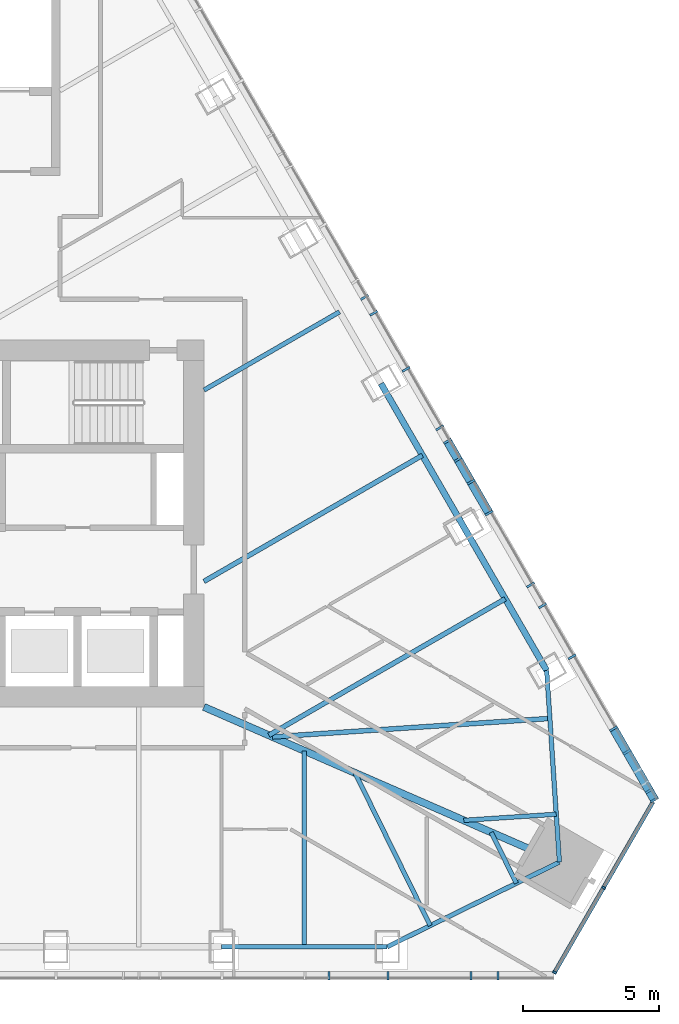
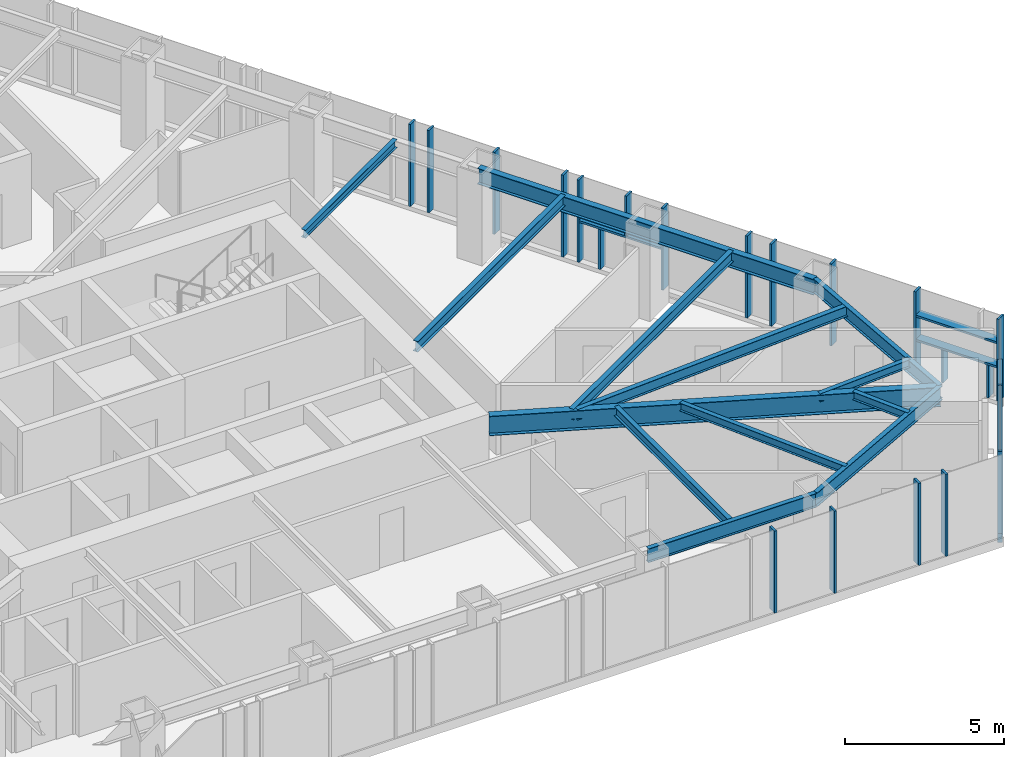
# One storey, part 5 of 18: 26 members, 13 beams, 3 elements without a shape of their own.
"""IFC4 building model written with IfcOpenShell, lengths in metres."""

from ifc_helpers import new_model, si_unit, direction, frame, origin, origin_2d, place, context, subcontext, project, spatial, rectangle, i_section, extrude, material, layer, layer_set, material_profile, profile_set, type_object, element, aggregate, save


model = new_model("IFC4")

# Units and contexts
model_context = context("Model", 3, precision=1e-05, world=origin(), true_north=direction((0.0, 1.0)))
body_context = subcontext(model_context, "Body", "Model", "MODEL_VIEW")
ifc_project = project(units=[si_unit("LENGTHUNIT", "METRE"), si_unit("AREAUNIT", "SQUARE_METRE"), si_unit("VOLUMEUNIT", "CUBIC_METRE"), si_unit("PLANEANGLEUNIT", "RADIAN"), si_unit("MASSUNIT", "GRAM", prefix="KILO")], contexts=[model_context])

# Site, building, storey
site_placement = place(None, origin())
site = spatial("IfcSite", under=ifc_project, at=site_placement, CompositionType="ELEMENT")
building_placement = place(site_placement, origin())
building = spatial("IfcBuilding", under=site, at=building_placement, Name="Firuza Gate Tower and Library", CompositionType="ELEMENT")
storey_placement = place(building_placement, frame((0.0, 0.0, 298.60009765625)))
storey = spatial("IfcBuildingStorey", under=building, at=storey_placement, Name="L72", CompositionType="ELEMENT", Elevation=298.60009765625)

# Curtain wall, members
ifc_material_1 = material(Name="Aluminium 6063-T6", Category="aluminium")
ifc_layer_1 = layer(ifc_material_1, 0.14990234375)
ifc_layer_set_1 = layer_set([ifc_layer_1], Name="Corner curtain wall, chamfers")
curtain_wall_type_1 = type_object("IfcCurtainWallType", Name="Corner curtain wall, chamfers", PredefinedType="NOTDEFINED", material=ifc_layer_set_1)
placement = place(storey_placement, origin())
curtain_wall_1 = element("IfcCurtainWall", 1, at=placement, inside=storey, type_object=curtain_wall_type_1, Name="CW4 L72 SE corner", PredefinedType="NOTDEFINED")
ifc_material_2 = material(Name="Aluminium 6063-T6", Category="aluminium")
ifc_material_profile_1 = material_profile(ifc_material_2, rectangle(XDim=0.14990234375, YDim=0.080078125, at=origin_2d()))
ifc_profile_set_1 = profile_set([ifc_material_profile_1], Name="Aluminium 6063-T6")
member_type_1 = type_object("IfcMemberType", Name="Curtain wall mullion 80x150", PredefinedType="MULLION", material=ifc_profile_set_1)
member_1_placement = place(storey_placement, frame((96.3994140625, 58.484375, 0.14990234375), z_axis=(0.0, 0.0, 1.0), x_axis=(-0.866025403784, 0.5, 0.0)))
member_1 = element("IfcMember", 2, at=member_1_placement, type_object=member_type_1, Name="Mullion", PredefinedType="MULLION", context=body_context, shape_type="SweptSolid", body=[
    extrude(rectangle(XDim=0.14990234375, YDim=0.080078125, at=origin_2d()), origin(), (0.0, 0.0, 1.0), 3.14990234375),
])
member_2_placement = place(storey_placement, frame((98.200927734375, 61.60498046875, 0.14990234375), z_axis=(0.0, 0.0, 1.0), x_axis=(-0.866025403784, 0.5, 0.0)))
member_2 = element("IfcMember", 3, at=member_2_placement, type_object=member_type_1, Name="Mullion", PredefinedType="MULLION", context=body_context, shape_type="SweptSolid", body=[
    extrude(rectangle(XDim=0.14990234375, YDim=0.080078125, at=origin_2d()), origin(), (0.0, 0.0, 1.0), 3.14990234375),
])

ifc_material_3 = material(Name="Aluminium 6063-T6", Category="aluminium")
ifc_layer_2 = layer(ifc_material_3, 0.14990234375)
ifc_layer_set_2 = layer_set([ifc_layer_2], Name="Unitised curtain wall, residences")
curtain_wall_type_2 = type_object("IfcCurtainWallType", Name="Unitised curtain wall, residences", PredefinedType="NOTDEFINED", material=ifc_layer_set_2)
curtain_wall_2 = element("IfcCurtainWall", 4, at=placement, inside=storey, type_object=curtain_wall_type_2, Name="CW3 L72 S face", PredefinedType="NOTDEFINED")
ifc_material_4 = material(Name="Aluminium 6063-T6", Category="aluminium")
ifc_material_profile_2 = material_profile(ifc_material_4, rectangle(XDim=0.320068359375, YDim=0.080078125, at=origin_2d()))
ifc_profile_set_2 = profile_set([ifc_material_profile_2], Name="Aluminium 6063-T6")
member_type_2 = type_object("IfcMemberType", Name="Curtain wall mullion 80x320", PredefinedType="MULLION", material=ifc_profile_set_2)
member_3_placement = place(storey_placement, frame((90.27099609375, 58.36474609375, 0.14990234375), z_axis=(0.0, 0.0, 1.0), x_axis=(0.0, 1.0, 0.0)))
member_3 = element("IfcMember", 5, at=member_3_placement, type_object=member_type_2, Name="Mullion", PredefinedType="MULLION", context=body_context, shape_type="SweptSolid", body=[
    extrude(rectangle(XDim=0.320068359375, YDim=0.080078125, at=origin_2d()), origin(), (0.0, 0.0, 1.0), 3.14990234375),
])
member_4_placement = place(storey_placement, frame((93.3251953125, 58.36474609375, 0.14990234375), z_axis=(0.0, 0.0, 1.0), x_axis=(0.0, 1.0, 0.0)))
member_4 = element("IfcMember", 6, at=member_4_placement, type_object=member_type_2, Name="Mullion", PredefinedType="MULLION", context=body_context, shape_type="SweptSolid", body=[
    extrude(rectangle(XDim=0.320068359375, YDim=0.080078125, at=origin_2d()), origin(), (0.0, 0.0, 1.0), 3.14990234375),
])
member_5_placement = place(storey_placement, frame((88.099365234375, 58.36474609375, 0.14990234375), z_axis=(0.0, 0.0, 1.0), x_axis=(0.0, 1.0, 0.0)))
member_5 = element("IfcMember", 7, at=member_5_placement, type_object=member_type_2, Name="Mullion", PredefinedType="MULLION", context=body_context, shape_type="SweptSolid", body=[
    extrude(rectangle(XDim=0.320068359375, YDim=0.080078125, at=origin_2d()), origin(), (0.0, 0.0, 1.0), 3.14990234375),
])
member_6_placement = place(storey_placement, frame((94.312744140625, 58.36474609375, 0.14990234375), z_axis=(0.0, 0.0, 1.0), x_axis=(0.0, 1.0, 0.0)))
member_6 = element("IfcMember", 8, at=member_6_placement, type_object=member_type_2, Name="Mullion", PredefinedType="MULLION", context=body_context, shape_type="SweptSolid", body=[
    extrude(rectangle(XDim=0.320068359375, YDim=0.080078125, at=origin_2d()), origin(), (0.0, 0.0, 1.0), 3.14990234375),
])
aggregate(curtain_wall_2, [member_3, member_4, member_5, member_6])

curtain_wall_3 = element("IfcCurtainWall", 9, at=placement, inside=storey, type_object=curtain_wall_type_2, Name="CW3 L72 E face", PredefinedType="NOTDEFINED")
member_7_placement = place(storey_placement, frame((100.076171875, 64.837158203125, 0.14990234375), z_axis=(0.0, 0.0, 1.0), x_axis=(-0.866025403784, -0.5, 0.0)))
member_7 = element("IfcMember", 10, at=member_7_placement, type_object=member_type_2, Name="Mullion", PredefinedType="MULLION", context=body_context, shape_type="SweptSolid", body=[
    extrude(rectangle(XDim=0.320068359375, YDim=0.080078125, at=origin_2d()), origin(), (0.0, 0.0, 1.0), 3.14990234375),
])
member_8_placement = place(storey_placement, frame((98.569091796875, 67.447509765625, 0.14990234375), z_axis=(0.0, 0.0, 1.0), x_axis=(-0.866025403784, -0.5, 0.0)))
member_8 = element("IfcMember", 11, at=member_8_placement, type_object=member_type_2, Name="Mullion", PredefinedType="MULLION", context=body_context, shape_type="SweptSolid", body=[
    extrude(rectangle(XDim=0.320068359375, YDim=0.080078125, at=origin_2d()), origin(), (0.0, 0.0, 1.0), 3.14990234375),
])
member_9_placement = place(storey_placement, frame((97.0419921875, 70.092529296875, 0.14990234375), z_axis=(0.0, 0.0, 1.0), x_axis=(-0.866025403784, -0.5, 0.0)))
member_9 = element("IfcMember", 12, at=member_9_placement, type_object=member_type_2, Name="Mullion", PredefinedType="MULLION", context=body_context, shape_type="SweptSolid", body=[
    extrude(rectangle(XDim=0.320068359375, YDim=0.080078125, at=origin_2d()), origin(), (0.0, 0.0, 1.0), 3.14990234375),
])
member_10_placement = place(storey_placement, frame((95.514892578125, 72.737548828125, 0.14990234375), z_axis=(0.0, 0.0, 1.0), x_axis=(-0.866025403784, -0.5, 0.0)))
member_10 = element("IfcMember", 13, at=member_10_placement, type_object=member_type_2, Name="Mullion", PredefinedType="MULLION", context=body_context, shape_type="SweptSolid", body=[
    extrude(rectangle(XDim=0.320068359375, YDim=0.080078125, at=origin_2d()), origin(), (0.0, 0.0, 1.0), 3.14990234375),
])
member_11_placement = place(storey_placement, frame((93.98779296875, 75.382568359375, 0.14990234375), z_axis=(0.0, 0.0, 1.0), x_axis=(-0.866025403784, -0.5, 0.0)))
member_11 = element("IfcMember", 14, at=member_11_placement, type_object=member_type_2, Name="Mullion", PredefinedType="MULLION", context=body_context, shape_type="SweptSolid", body=[
    extrude(rectangle(XDim=0.320068359375, YDim=0.080078125, at=origin_2d()), origin(), (0.0, 0.0, 1.0), 3.14990234375),
])
member_12_placement = place(storey_placement, frame((92.460693359375, 78.027587890625, 0.14990234375), z_axis=(0.0, 0.0, 1.0), x_axis=(-0.866025403784, -0.5, 0.0)))
member_12 = element("IfcMember", 15, at=member_12_placement, type_object=member_type_2, Name="Mullion", PredefinedType="MULLION", context=body_context, shape_type="SweptSolid", body=[
    extrude(rectangle(XDim=0.320068359375, YDim=0.080078125, at=origin_2d()), origin(), (0.0, 0.0, 1.0), 3.14990234375),
])
member_13_placement = place(storey_placement, frame((90.93359375, 80.672607421875, 0.14990234375), z_axis=(0.0, 0.0, 1.0), x_axis=(-0.866025403784, -0.5, 0.0)))
member_13 = element("IfcMember", 16, at=member_13_placement, type_object=member_type_2, Name="Mullion", PredefinedType="MULLION", context=body_context, shape_type="SweptSolid", body=[
    extrude(rectangle(XDim=0.320068359375, YDim=0.080078125, at=origin_2d()), origin(), (0.0, 0.0, 1.0), 3.14990234375),
])
member_14_placement = place(storey_placement, frame((89.406494140625, 83.317626953125, 0.14990234375), z_axis=(0.0, 0.0, 1.0), x_axis=(-0.866025403784, -0.5, 0.0)))
member_14 = element("IfcMember", 17, at=member_14_placement, type_object=member_type_2, Name="Mullion", PredefinedType="MULLION", context=body_context, shape_type="SweptSolid", body=[
    extrude(rectangle(XDim=0.320068359375, YDim=0.080078125, at=origin_2d()), origin(), (0.0, 0.0, 1.0), 3.14990234375),
])
member_15_placement = place(storey_placement, frame((99.887451171875, 65.164306640625, 0.14990234375), z_axis=(0.0, 0.0, 1.0), x_axis=(-0.866025403784, -0.5, 0.0)))
member_15 = element("IfcMember", 18, at=member_15_placement, type_object=member_type_2, Name="Mullion", PredefinedType="MULLION", context=body_context, shape_type="SweptSolid", body=[
    extrude(rectangle(XDim=0.320068359375, YDim=0.080078125, at=origin_2d()), origin(), (0.0, 0.0, 1.0), 1.260009765625),
])
member_16_placement = place(storey_placement, frame((99.06298828125, 66.59228515625, 0.14990234375), z_axis=(0.0, 0.0, 1.0), x_axis=(-0.866025403784, -0.5, 0.0)))
member_16 = element("IfcMember", 19, at=member_16_placement, type_object=member_type_2, Name="Mullion", PredefinedType="MULLION", context=body_context, shape_type="SweptSolid", body=[
    extrude(rectangle(XDim=0.320068359375, YDim=0.080078125, at=origin_2d()), origin(), (0.0, 0.0, 1.0), 1.260009765625),
])
member_17_placement = place(storey_placement, frame((95.956298828125, 71.973388671875, 0.14990234375), z_axis=(0.0, 0.0, 1.0), x_axis=(-0.866025403784, -0.5, 0.0)))
member_17 = element("IfcMember", 20, at=member_17_placement, type_object=member_type_2, Name="Mullion", PredefinedType="MULLION", context=body_context, shape_type="SweptSolid", body=[
    extrude(rectangle(XDim=0.320068359375, YDim=0.080078125, at=origin_2d()), origin(), (0.0, 0.0, 1.0), 3.14990234375),
])
member_18_placement = place(storey_placement, frame((92.849609375, 77.354248046875, 0.14990234375), z_axis=(0.0, 0.0, 1.0), x_axis=(-0.866025403784, -0.5, 0.0)))
member_18 = element("IfcMember", 21, at=member_18_placement, type_object=member_type_2, Name="Mullion", PredefinedType="MULLION", context=body_context, shape_type="SweptSolid", body=[
    extrude(rectangle(XDim=0.320068359375, YDim=0.080078125, at=origin_2d()), origin(), (0.0, 0.0, 1.0), 1.534912109375),
])
member_19_placement = place(storey_placement, frame((93.327392578125, 76.526611328125, 1.764892578125), z_axis=(0.0, 0.0, 1.0), x_axis=(-0.866025403784, -0.5, 0.0)))
member_19 = element("IfcMember", 22, at=member_19_placement, type_object=member_type_2, Name="Mullion", PredefinedType="MULLION", context=body_context, shape_type="SweptSolid", body=[
    extrude(rectangle(XDim=0.320068359375, YDim=0.080078125, at=origin_2d()), origin(), (0.0, 0.0, 1.0), 1.534912109375),
])
member_20_placement = place(storey_placement, frame((92.177001953125, 78.519287109375, 0.14990234375), z_axis=(0.0, 0.0, 1.0), x_axis=(-0.866025403784, -0.5, 0.0)))
member_20 = element("IfcMember", 23, at=member_20_placement, type_object=member_type_2, Name="Mullion", PredefinedType="MULLION", context=body_context, shape_type="SweptSolid", body=[
    extrude(rectangle(XDim=0.320068359375, YDim=0.080078125, at=origin_2d()), origin(), (0.0, 0.0, 1.0), 3.14990234375),
])
member_21_placement = place(storey_placement, frame((89.742919921875, 82.735107421875, 0.14990234375), z_axis=(0.0, 0.0, 1.0), x_axis=(-0.866025403784, -0.5, 0.0)))
member_21 = element("IfcMember", 24, at=member_21_placement, type_object=member_type_2, Name="Mullion", PredefinedType="MULLION", context=body_context, shape_type="SweptSolid", body=[
    extrude(rectangle(XDim=0.320068359375, YDim=0.080078125, at=origin_2d()), origin(), (0.0, 0.0, 1.0), 3.14990234375),
])

# Member
ifc_material_5 = material(Name="Aluminium 6063-T6", Category="aluminium")
ifc_material_profile_3 = material_profile(ifc_material_5, rectangle(XDim=0.14990234375, YDim=0.35009765625, at=origin_2d()))
ifc_profile_set_3 = profile_set([ifc_material_profile_3], Name="Aluminium 6063-T6")
member_type_3 = type_object("IfcMemberType", Name="Curtain wall transom 350x150", PredefinedType="USERDEFINED", material=ifc_profile_set_3)
member_22_placement = place(storey_placement, frame((96.37939453125, 58.44970703125, -0.025146484375), z_axis=(0.500005719219, 0.866022101766, 0.0), x_axis=(-0.866022101766, 0.500005719219, 0.0)))
member_22 = element("IfcMember", 25, at=member_22_placement, type_object=member_type_3, Name="Transom", ObjectType="TRANSOM", PredefinedType="USERDEFINED", context=body_context, shape_type="SweptSolid", body=[
    extrude(rectangle(XDim=0.14990234375, YDim=0.35009765625, at=origin_2d()), origin(), (0.0, 0.0, 1.0), 7.28662109375),
])

ifc_material_6 = material(Name="Aluminium 6063-T6", Category="aluminium")
ifc_material_profile_4 = material_profile(ifc_material_6, rectangle(XDim=0.14990234375, YDim=0.080078125, at=origin_2d()))
ifc_profile_set_4 = profile_set([ifc_material_profile_4], Name="Aluminium 6063-T6")
member_type_4 = type_object("IfcMemberType", Name="Curtain wall transom 80x150", PredefinedType="USERDEFINED", material=ifc_profile_set_4)
member_23_placement = place(storey_placement, frame((98.220947265625, 61.6396484375, 1.724853515625), z_axis=(0.500015035186, 0.866016723041, 0.0), x_axis=(-0.866016723041, 0.500015035186, 0.0)))
member_23 = element("IfcMember", 26, at=member_23_placement, type_object=member_type_4, Name="Transom", ObjectType="TRANSOM", PredefinedType="USERDEFINED", context=body_context, shape_type="SweptSolid", body=[
    extrude(rectangle(XDim=0.14990234375, YDim=0.080078125, at=origin_2d()), origin(), (0.0, 0.0, 1.0), 3.5634765625),
])

aggregate(curtain_wall_1, [member_1, member_2, member_22, member_23])

ifc_material_7 = material(Name="Aluminium 6063-T6", Category="aluminium")
ifc_material_profile_5 = material_profile(ifc_material_7, rectangle(XDim=0.320068359375, YDim=0.080078125, at=origin_2d()))
ifc_profile_set_5 = profile_set([ifc_material_profile_5], Name="Aluminium 6063-T6")
member_type_5 = type_object("IfcMemberType", Name="Curtain wall transom 80x320", PredefinedType="USERDEFINED", material=ifc_profile_set_5)
member_24_placement = place(storey_placement, frame((100.076171875, 64.837158203125, 1.449951171875), z_axis=(-0.499961665751, 0.866047534942, 0.0), x_axis=(-0.866047534942, -0.499961665751, 0.0)))
member_24 = element("IfcMember", 27, at=member_24_placement, type_object=member_type_5, Name="Transom", ObjectType="TRANSOM", PredefinedType="USERDEFINED", context=body_context, shape_type="SweptSolid", body=[
    extrude(rectangle(XDim=0.320068359375, YDim=0.080078125, at=origin_2d()), origin(), (0.0, 0.0, 1.0), 2.974365234375),
])

member_25_placement = place(storey_placement, frame((100.076171875, 64.837158203125, 2.375), z_axis=(-0.499961665751, 0.866047534942, 0.0), x_axis=(-0.866047534942, -0.499961665751, 0.0)))
member_25 = element("IfcMember", 28, at=member_25_placement, type_object=member_type_5, Name="Transom", ObjectType="TRANSOM", PredefinedType="USERDEFINED", context=body_context, shape_type="SweptSolid", body=[
    extrude(rectangle(XDim=0.320068359375, YDim=0.080078125, at=origin_2d()), origin(), (0.0, 0.0, 1.0), 2.974365234375),
])

member_26_placement = place(storey_placement, frame((93.9677734375, 75.417236328125, 1.724853515625), z_axis=(-0.499997208602, 0.866027015393, 0.0), x_axis=(-0.866027015393, -0.499997208602, 0.0)))
member_26 = element("IfcMember", 29, at=member_26_placement, type_object=member_type_5, Name="Transom", ObjectType="TRANSOM", PredefinedType="USERDEFINED", context=body_context, shape_type="SweptSolid", body=[
    extrude(rectangle(XDim=0.320068359375, YDim=0.080078125, at=origin_2d()), origin(), (0.0, 0.0, 1.0), 2.97412109375),
])

aggregate(curtain_wall_3, [member_7, member_8, member_9, member_10, member_11, member_12, member_13, member_14, member_15, member_16, member_24, member_25, member_17, member_18, member_19, member_26, member_20, member_21])

# Beams
ifc_material_8 = material(Name="Steel S355", Category="steel")
ifc_material_profile_6 = material_profile(ifc_material_8, i_section(OverallWidth=0.1650390625, OverallDepth=0.31005859375, WebThickness=0.005859375, FlangeThickness=0.009765625, at=origin_2d()))
ifc_profile_set_6 = profile_set([ifc_material_profile_6], Name="Steel S355")
beam_type_1 = type_object("IfcBeamType", Name="W310x39 Floor beam", PredefinedType="JOIST", material=ifc_profile_set_6)
beam_1_placement = place(storey_placement, frame((91.82421875, 60.2041015625, 3.14501953125), z_axis=(-0.44141897367, 0.897301114278, 0.0), x_axis=(-0.897301114278, -0.44141897367, 0.0)))
element("IfcBeam", 30, at=beam_1_placement, inside=storey, type_object=beam_type_1, Name="Floor beam L72 s30", PredefinedType="JOIST", context=body_context, shape_type="SweptSolid", body=[
    extrude(i_section(OverallWidth=0.1650390625, OverallDepth=0.31005859375, WebThickness=0.005859375, FlangeThickness=0.009765625, at=origin_2d()), origin(), (0.0, 0.0, 1.0), 6.262451171875),
])
beam_2_placement = place(storey_placement, frame((94.992919921875, 61.762939453125, 3.14501953125), z_axis=(-0.44149718948, 0.8972626325, 0.0), x_axis=(-0.8972626325, -0.44149718948, 0.0)))
element("IfcBeam", 31, at=beam_2_placement, inside=storey, type_object=beam_type_1, Name="Floor beam L72 s31", PredefinedType="JOIST", context=body_context, shape_type="SweptSolid", body=[
    extrude(i_section(OverallWidth=0.1650390625, OverallDepth=0.31005859375, WebThickness=0.005859375, FlangeThickness=0.009765625, at=origin_2d()), origin(), (0.0, 0.0, 1.0), 2.08740234375),
])
beam_3_placement = place(storey_placement, frame((96.4599609375, 64.30419921875, 3.14501953125), z_axis=(-0.997798132609, -0.066324102419, 0.0), x_axis=(0.066324102419, -0.997798132609, 0.0)))
element("IfcBeam", 32, at=beam_3_placement, inside=storey, type_object=beam_type_1, Name="Floor beam L72 s40", PredefinedType="JOIST", context=body_context, shape_type="SweptSolid", body=[
    extrude(i_section(OverallWidth=0.1650390625, OverallDepth=0.31005859375, WebThickness=0.005859375, FlangeThickness=0.009765625, at=origin_2d()), origin(), (0.0, 0.0, 1.0), 3.40869140625),
])
beam_4_placement = place(storey_placement, frame((88.488525390625, 82.78759765625, 3.14501953125), z_axis=(-0.866025368003, -0.500000061975, 0.0), x_axis=(0.500000061975, -0.866025368003, 0.0)))
element("IfcBeam", 33, at=beam_4_placement, inside=storey, type_object=beam_type_1, Name="Floor beam L72 s52", PredefinedType="JOIST", context=body_context, shape_type="SweptSolid", body=[
    extrude(i_section(OverallWidth=0.1650390625, OverallDepth=0.31005859375, WebThickness=0.005859375, FlangeThickness=0.009765625, at=origin_2d()), origin(), (0.0, 0.0, 1.0), 5.76025390625),
])
ifc_material_9 = material(Name="Steel S355", Category="steel")
ifc_material_profile_7 = material_profile(ifc_material_9, i_section(OverallWidth=0.1708984375, OverallDepth=0.35498046875, WebThickness=0.007080078125, FlangeThickness=0.01171875, at=origin_2d()))
ifc_profile_set_7 = profile_set([ifc_material_profile_7], Name="Steel S355")
beam_type_2 = type_object("IfcBeamType", Name="W360x51 Floor beam", PredefinedType="JOIST", material=ifc_profile_set_7)
beam_5_placement = place(storey_placement, frame((87.19189453125, 59.4248046875, 3.122314453125), z_axis=(0.0, 1.0, 0.0), x_axis=(-1.0, 0.0, 0.0)))
element("IfcBeam", 34, at=beam_5_placement, inside=storey, type_object=beam_type_2, Name="Floor beam L72 s24", PredefinedType="JOIST", context=body_context, shape_type="SweptSolid", body=[
    extrude(i_section(OverallWidth=0.1708984375, OverallDepth=0.35498046875, WebThickness=0.007080078125, FlangeThickness=0.01171875, at=origin_2d()), origin(), (0.0, 0.0, 1.0), 7.2138671875),
])
ifc_material_10 = material(Name="Steel S355", Category="steel")
ifc_material_profile_8 = material_profile(ifc_material_10, i_section(OverallWidth=0.177978515625, OverallDepth=0.406982421875, WebThickness=0.0078125, FlangeThickness=0.0126953125, at=origin_2d()))
ifc_profile_set_8 = profile_set([ifc_material_profile_8], Name="Steel S355")
beam_type_3 = type_object("IfcBeamType", Name="W410x60 Floor beam", PredefinedType="JOIST", material=ifc_profile_set_8)
beam_6_placement = place(storey_placement, frame((96.225830078125, 67.82763671875, 3.096435546875), z_axis=(-0.997796657436, -0.066346291597, 0.0), x_axis=(0.066346291597, -0.997796657436, 0.0)))
element("IfcBeam", 35, at=beam_6_placement, inside=storey, type_object=beam_type_3, Name="Floor beam L72 s41", PredefinedType="JOIST", context=body_context, shape_type="SweptSolid", body=[
    extrude(i_section(OverallWidth=0.177978515625, OverallDepth=0.406982421875, WebThickness=0.0078125, FlangeThickness=0.0126953125, at=origin_2d()), origin(), (0.0, 0.0, 1.0), 10.22607421875),
])
beam_7_placement = place(storey_placement, frame((94.58447265625, 72.22900390625, 3.096435546875), z_axis=(-0.866029312411, -0.499993229999, 0.0), x_axis=(0.499993229999, -0.866029312411, 0.0)))
element("IfcBeam", 36, at=beam_7_placement, inside=storey, type_object=beam_type_3, Name="Floor beam L72 s50", PredefinedType="JOIST", context=body_context, shape_type="SweptSolid", body=[
    extrude(i_section(OverallWidth=0.177978515625, OverallDepth=0.406982421875, WebThickness=0.0078125, FlangeThickness=0.0126953125, at=origin_2d()), origin(), (0.0, 0.0, 1.0), 10.042236328125),
])
beam_8_placement = place(storey_placement, frame((91.53662109375, 77.50830078125, 3.096435546875), z_axis=(-0.866027866277, -0.499995734814, 0.0), x_axis=(0.499995734814, -0.866027866277, 0.0)))
element("IfcBeam", 37, at=beam_8_placement, inside=storey, type_object=beam_type_3, Name="Floor beam L72 s51", PredefinedType="JOIST", context=body_context, shape_type="SweptSolid", body=[
    extrude(i_section(OverallWidth=0.177978515625, OverallDepth=0.406982421875, WebThickness=0.0078125, FlangeThickness=0.0126953125, at=origin_2d()), origin(), (0.0, 0.0, 1.0), 9.27978515625),
])
ifc_material_11 = material(Name="Steel S355", Category="steel")
ifc_material_profile_9 = material_profile(ifc_material_11, i_section(OverallWidth=0.166015625, OverallDepth=0.534912109375, WebThickness=0.01025390625, FlangeThickness=0.0166015625, at=origin_2d()))
ifc_profile_set_9 = profile_set([ifc_material_profile_9], Name="Steel S355")
beam_type_4 = type_object("IfcBeamType", Name="W530x85 Edge beam", PredefinedType="SPANDREL", material=ifc_profile_set_9)
beam_9_placement = place(storey_placement, frame((84.14404296875, 59.4248046875, 3.032470703125), z_axis=(1.0, 0.0, 0.0), x_axis=(0.0, 1.0, 0.0)))
element("IfcBeam", 38, at=beam_9_placement, inside=storey, type_object=beam_type_4, Name="Edge beam L72 e24", PredefinedType="SPANDREL", context=body_context, shape_type="SweptSolid", body=[
    extrude(i_section(OverallWidth=0.166015625, OverallDepth=0.534912109375, WebThickness=0.01025390625, FlangeThickness=0.0166015625, at=origin_2d()), origin(), (0.0, 0.0, 1.0), 6.095947265625),
])
for number, where, z_axis, x_axis, name in (
    (39, (90.239990234375, 59.4248046875, 3.032470703125), (0.897291608696, 0.44143829576, 0.0), (-0.44143829576, 0.897291608696, 0.0), "Edge beam L72 e30"),
    (40, (96.5771484375, 62.54248046875, 3.032470703125), (-0.066337752051, 0.997797225218, 0.0), (-0.997797225218, -0.066337752051, 0.0), "Edge beam L72 e40"),
):
    element("IfcBeam", number, at=place(storey_placement, frame(where, z_axis=z_axis, x_axis=x_axis)), inside=storey, type_object=beam_type_4, Name=name, PredefinedType="SPANDREL", context=body_context, shape_type="SweptSolid", body=[
        extrude(i_section(OverallWidth=0.166015625, OverallDepth=0.534912109375, WebThickness=0.01025390625, FlangeThickness=0.0166015625, at=origin_2d()), origin(), (0.0, 0.0, 1.0), 7.0625),
    ])
ifc_material_12 = material(Name="Steel S355", Category="steel")
ifc_material_profile_10 = material_profile(ifc_material_12, i_section(OverallWidth=0.22900390625, OverallDepth=0.612060546875, WebThickness=0.011962890625, FlangeThickness=0.01953125, at=origin_2d()))
ifc_profile_set_10 = profile_set([ifc_material_profile_10], Name="Steel S355")
beam_type_5 = type_object("IfcBeamType", Name="W610x125 Edge beam", PredefinedType="SPANDREL", material=ifc_profile_set_10)
beam_10_placement = place(storey_placement, frame((96.108642578125, 69.58935546875, 2.993896484375), z_axis=(-0.499996328842, 0.866027523318, 0.0), x_axis=(-0.866027523318, -0.499996328842, 0.0)))
element("IfcBeam", 41, at=beam_10_placement, inside=storey, type_object=beam_type_5, Name="Edge beam L72 e50", PredefinedType="SPANDREL", context=body_context, shape_type="SweptSolid", body=[
    extrude(i_section(OverallWidth=0.22900390625, OverallDepth=0.612060546875, WebThickness=0.011962890625, FlangeThickness=0.01953125, at=origin_2d()), origin(), (0.0, 0.0, 1.0), 12.19189453125),
])
ifc_material_13 = material(Name="Steel S355", Category="steel")
ifc_material_profile_11 = material_profile(ifc_material_13, i_section(OverallWidth=0.264892578125, OverallDepth=0.7529296875, WebThickness=0.01318359375, FlangeThickness=0.01708984375, at=origin_2d()))
ifc_profile_set_11 = profile_set([ifc_material_profile_11], Name="Steel S355")
beam_type_6 = type_object("IfcBeamType", Name="W760x147 Girder", PredefinedType="BEAM", material=ifc_profile_set_11)
beam_11_placement = place(storey_placement, frame((96.5771484375, 62.54248046875, 2.92333984375), z_axis=(-0.916510410118, 0.400010835034, 0.0), x_axis=(-0.400010835034, -0.916510410118, 0.0)))
element("IfcBeam", 42, at=beam_11_placement, inside=storey, type_object=beam_type_6, Name="Girder L72 gSE", PredefinedType="BEAM", context=body_context, shape_type="SweptSolid", body=[
    extrude(i_section(OverallWidth=0.264892578125, OverallDepth=0.7529296875, WebThickness=0.01318359375, FlangeThickness=0.01708984375, at=origin_2d()), origin(), (0.0, 0.0, 1.0), 14.268310546875),
])

save(model, "model.ifc")
